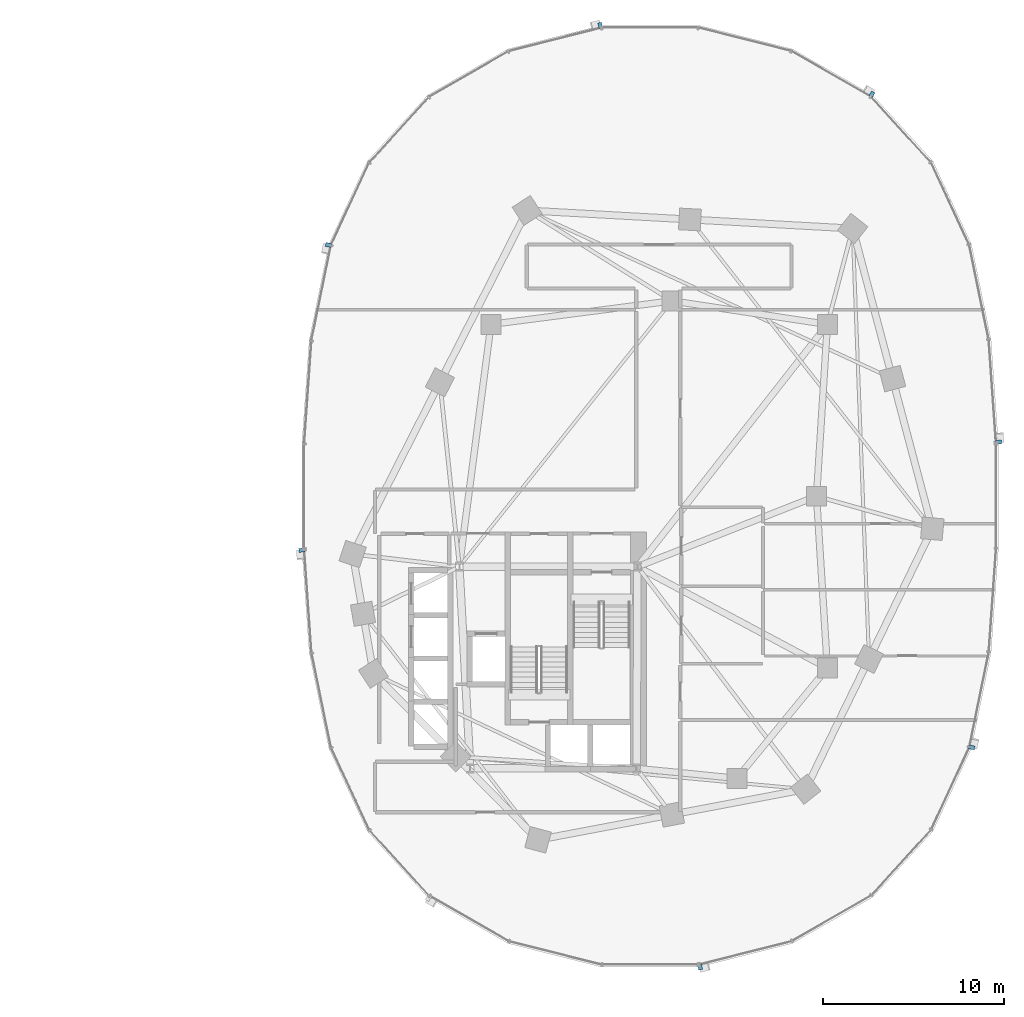
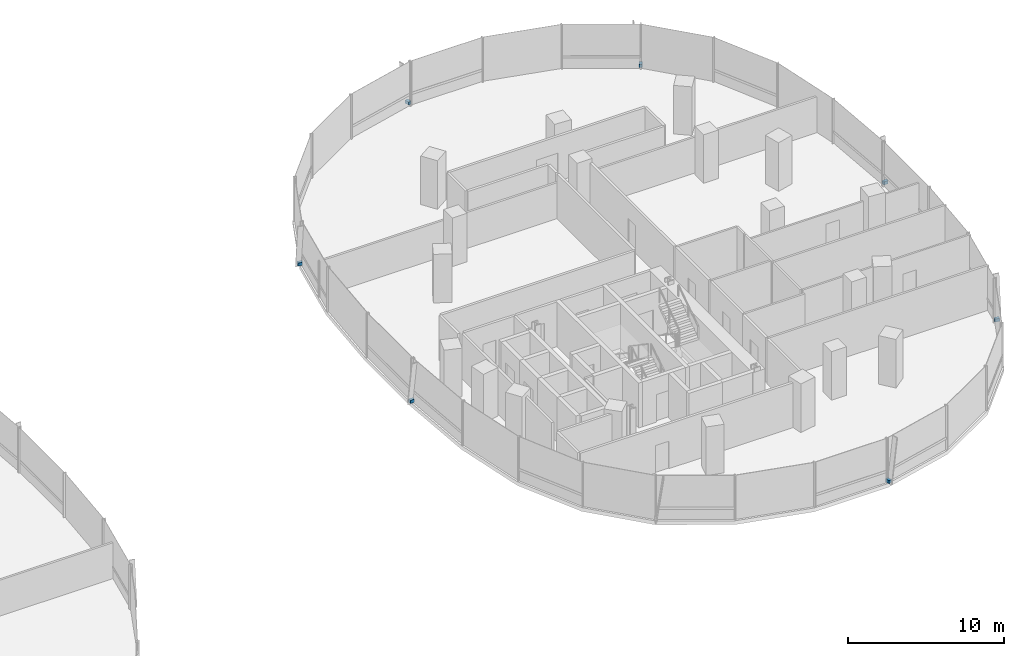
# One storey, part 16 of 21: 7 discrete accessories.
"""IFC4 building model written with IfcOpenShell, lengths in metres."""

from ifc_helpers import new_model, si_unit, direction, frame, origin, origin_2d, place, context, subcontext, project, spatial, rectangle, extrude, material, type_object, element, save


model = new_model("IFC4")

# Units and contexts
model_context = context("Model", 3, precision=1e-05, world=origin(), true_north=direction((0.0, 1.0)))
body_context = subcontext(model_context, "Body", "Model", "MODEL_VIEW")
ifc_project = project(units=[si_unit("LENGTHUNIT", "METRE"), si_unit("AREAUNIT", "SQUARE_METRE"), si_unit("VOLUMEUNIT", "CUBIC_METRE"), si_unit("PLANEANGLEUNIT", "RADIAN"), si_unit("MASSUNIT", "GRAM", prefix="KILO"), si_unit("THERMODYNAMICTEMPERATUREUNIT", "KELVIN"), si_unit("POWERUNIT", "WATT")], contexts=[model_context])

# Site, building, storey
site_placement = place(None, origin())
site = spatial("IfcSite", under=ifc_project, at=site_placement, CompositionType="ELEMENT")
building_placement = place(site_placement, origin())
building = spatial("IfcBuilding", under=site, at=building_placement, Name="Cundina Bronze Exchange", CompositionType="ELEMENT")
storey_placement = place(building_placement, frame((0.0, 0.0, 54.39990234375)))
storey = spatial("IfcBuildingStorey", under=building, at=storey_placement, Name="L13", CompositionType="ELEMENT", Elevation=54.39990234375)

# Discrete accessories
ifc_material = material(Name="Anodised Bronze Aluminium 6063-T6", Category="aluminium")
discrete_accessory_type = type_object("IfcDiscreteAccessoryType", Name="ACC-BRK-FIN", PredefinedType="BRACKET", material=ifc_material)
for number, where, z_axis, x_axis, name in (
    (1, (51.264404296875, 2.986083984375, 0.10009765625), (0.0, 0.0, 1.0), (-0.070278787473, 0.997527389113, 0.0), "L13 Fin Support Bracket 1"),
    (2, (44.259521484375, 22.21875, 0.10009765625), (0.0, 0.0, 1.0), (-0.867105478933, 0.498124571171, 0.0), "L13 Fin Support Bracket 5"),
    (3, (29.23974609375, 26.03173828125, 0.10009765625), (0.0, 0.0, 1.0), (-0.969488149345, -0.245138182011, 0.0), "L13 Fin Support Bracket 1"),
    (4, (14.211669921875, 13.8896484375, 0.10009765625), (0.0, 0.0, 1.0), (-0.201419845156, -0.979505000486, 0.0), "L13 Fin Support Bracket 5"),
    (5, (12.735595703125, -2.986083984375, 0.10009765625), (0.0, 0.0, 1.0), (0.070278787473, -0.997527389113, 0.0), "L13 Fin Support Bracket 1"),
    (6, (34.76025390625, -26.03173828125, 0.10009765625), (0.0, 0.0, 1.0), (0.969488149345, 0.245138182011, 0.0), "L13 Fin Support Bracket 1"),
    (7, (49.788330078125, -13.8896484375, 0.10009765625), (0.0, 0.0, 1.0), (0.201419845156, 0.979505000486, 0.0), "L13 Fin Support Bracket 5"),
):
    element("IfcDiscreteAccessory", number, at=place(storey_placement, frame(where, z_axis=z_axis, x_axis=x_axis)), inside=storey, type_object=discrete_accessory_type, Name=name, PredefinedType="BRACKET", context=body_context, shape_type="SweptSolid", body=[
        extrude(rectangle(XDim=0.219970703125, YDim=0.320068359375, at=origin_2d()), origin(), (0.0, 0.0, 1.0), 0.239990234375),
    ])

save(model, "model.ifc")
